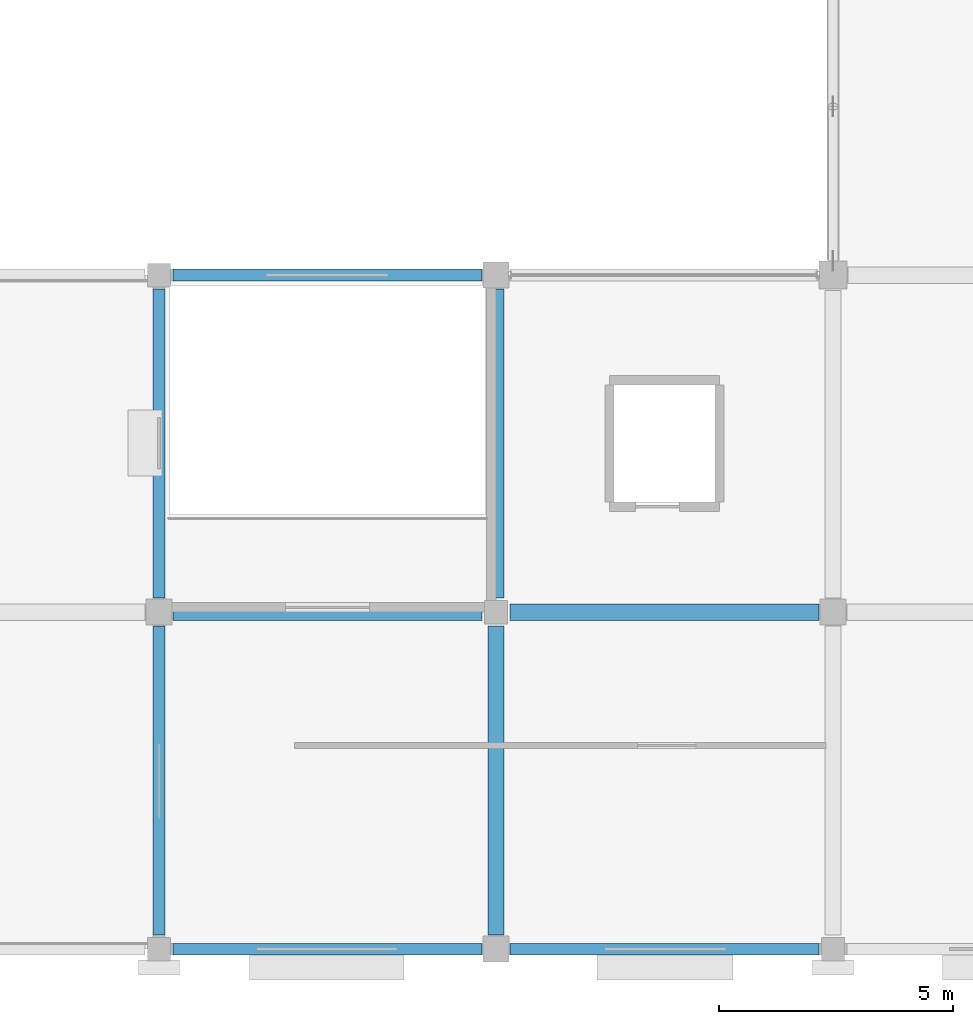
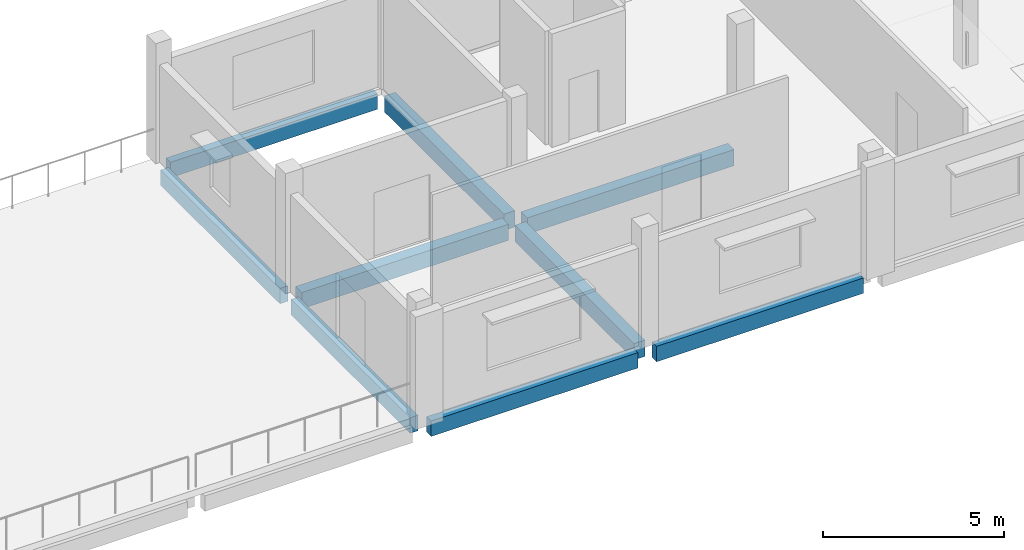
# One storey, part 13 of 59: 9 beams.
"""IFC4 building model written with IfcOpenShell, lengths in metres."""

from ifc_helpers import new_model, si_unit, direction, frame, origin, origin_2d, place, context, subcontext, project, spatial, rectangle, extrude, material, material_profile, profile_set, type_object, element, save


model = new_model("IFC4")

# Units and contexts
model_context = context("Model", 3, precision=1e-05, world=origin(), true_north=direction((0.0, 1.0)))
body_context = subcontext(model_context, "Body", "Model", "MODEL_VIEW")
ifc_project = project(units=[si_unit("LENGTHUNIT", "METRE"), si_unit("AREAUNIT", "SQUARE_METRE"), si_unit("VOLUMEUNIT", "CUBIC_METRE"), si_unit("PLANEANGLEUNIT", "RADIAN"), si_unit("MASSUNIT", "GRAM", prefix="KILO")], contexts=[model_context])

# Site, building, storey
site_placement = place(None, origin())
site = spatial("IfcSite", under=ifc_project, at=site_placement, CompositionType="ELEMENT")
building_placement = place(site_placement, origin())
building = spatial("IfcBuilding", under=site, at=building_placement, Name="Kangsadwip Square Police Headquarters", CompositionType="ELEMENT")
storey_placement = place(building_placement, frame((0.0, 0.0, 21.60009765625)))
storey = spatial("IfcBuildingStorey", under=building, at=storey_placement, Name="L05", CompositionType="ELEMENT", Elevation=21.60009765625)

# Beams
ifc_material_1 = material(Name="Concrete M35 (35 MPa)", Category="concrete")
ifc_material_profile_1 = material_profile(ifc_material_1, rectangle(XDim=0.35009765625, YDim=0.550048828125, at=origin_2d()), Name="RC BM 550X350")
ifc_profile_set_1 = profile_set([ifc_material_profile_1], Name="Concrete M35 (35 MPa)")
beam_type_1 = type_object("IfcBeamType", Name="RcBeam550x350", PredefinedType="BEAM", material=ifc_profile_set_1)
beam_1_placement = place(storey_placement, frame((129.89990234375, 28.800048828125, -0.4951171875), z_axis=(1.0, 0.0, 0.0), x_axis=(0.0, 1.0, 0.0)))
element("IfcBeam", 1, at=beam_1_placement, inside=storey, type_object=beam_type_1, Name="Beam BM-L05-X-18-04", PredefinedType="BEAM", context=body_context, shape_type="SweptSolid", body=[
    extrude(rectangle(XDim=0.35009765625, YDim=0.550048828125, at=origin_2d()), origin(), (0.0, 0.0, 1.0), 6.60009765625),
])
beam_2_placement = place(storey_placement, frame((137.10009765625, 28.800048828125, -0.4951171875), z_axis=(1.0, 0.0, 0.0), x_axis=(0.0, 1.0, 0.0)))
element("IfcBeam", 2, at=beam_2_placement, inside=storey, type_object=beam_type_1, Name="Beam BM-L05-X-19-04", PredefinedType="BEAM", context=body_context, shape_type="SweptSolid", body=[
    extrude(rectangle(XDim=0.35009765625, YDim=0.550048828125, at=origin_2d()), origin(), (0.0, 0.0, 1.0), 6.599853515625),
])
beam_3_placement = place(storey_placement, frame((136.800048828125, 21.89990234375, -0.4951171875), z_axis=(0.0, 1.0, 0.0), x_axis=(-1.0, 0.0, 0.0)))
element("IfcBeam", 3, at=beam_3_placement, inside=storey, type_object=beam_type_1, Name="Beam BM-L05-Y-19-03", PredefinedType="BEAM", context=body_context, shape_type="SweptSolid", body=[
    extrude(rectangle(XDim=0.35009765625, YDim=0.550048828125, at=origin_2d()), origin(), (0.0, 0.0, 1.0), 6.60009765625),
])
beam_4_placement = place(storey_placement, frame((136.800048828125, 29.10009765625, -0.4951171875), z_axis=(0.0, 1.0, 0.0), x_axis=(-1.0, 0.0, 0.0)))
element("IfcBeam", 4, at=beam_4_placement, inside=storey, type_object=beam_type_1, Name="Beam BM-L05-Y-19-04", PredefinedType="BEAM", context=body_context, shape_type="SweptSolid", body=[
    extrude(rectangle(XDim=0.35009765625, YDim=0.550048828125, at=origin_2d()), origin(), (0.0, 0.0, 1.0), 6.599853515625),
])
ifc_material_2 = material(Name="Concrete M35 (35 MPa)", Category="concrete")
ifc_material_profile_2 = material_profile(ifc_material_2, rectangle(XDim=0.25, YDim=0.52001953125, at=origin_2d()), Name="RC SPN 520X250")
ifc_profile_set_2 = profile_set([ifc_material_profile_2], Name="Concrete M35 (35 MPa)")
beam_type_2 = type_object("IfcBeamType", Name="RcSpandrel520x250", PredefinedType="SPANDREL", material=ifc_profile_set_2)
beam_5_placement = place(storey_placement, frame((129.60009765625, 21.89990234375, -0.47998046875), z_axis=(0.0, 1.0, 0.0), x_axis=(-1.0, 0.0, 0.0)))
element("IfcBeam", 5, at=beam_5_placement, inside=storey, type_object=beam_type_2, Name="Beam BM-L05-Y-18-03", PredefinedType="SPANDREL", context=body_context, shape_type="SweptSolid", body=[
    extrude(rectangle(XDim=0.25, YDim=0.52001953125, at=origin_2d()), origin(), (0.0, 0.0, 1.0), 6.60009765625),
])
beam_6_placement = place(storey_placement, frame((129.60009765625, 29.10009765625, -0.47998046875), z_axis=(0.0, 1.0, 0.0), x_axis=(-1.0, 0.0, 0.0)))
element("IfcBeam", 6, at=beam_6_placement, inside=storey, type_object=beam_type_2, Name="Beam BM-L05-Y-18-04", PredefinedType="SPANDREL", context=body_context, shape_type="SweptSolid", body=[
    extrude(rectangle(XDim=0.25, YDim=0.52001953125, at=origin_2d()), origin(), (0.0, 0.0, 1.0), 6.599853515625),
])
beam_7_placement = place(storey_placement, frame((129.89990234375, 21.60009765625, -0.47998046875), z_axis=(1.0, 0.0, 0.0), x_axis=(0.0, 1.0, 0.0)))
element("IfcBeam", 7, at=beam_7_placement, inside=storey, type_object=beam_type_2, Name="Beam BM-L05-X-18-03", PredefinedType="SPANDREL", context=body_context, shape_type="SweptSolid", body=[
    extrude(rectangle(XDim=0.25, YDim=0.52001953125, at=origin_2d()), origin(), (0.0, 0.0, 1.0), 6.60009765625),
])
beam_8_placement = place(storey_placement, frame((137.10009765625, 21.60009765625, -0.47998046875), z_axis=(1.0, 0.0, 0.0), x_axis=(0.0, 1.0, 0.0)))
element("IfcBeam", 8, at=beam_8_placement, inside=storey, type_object=beam_type_2, Name="Beam BM-L05-X-19-03", PredefinedType="SPANDREL", context=body_context, shape_type="SweptSolid", body=[
    extrude(rectangle(XDim=0.25, YDim=0.52001953125, at=origin_2d()), origin(), (0.0, 0.0, 1.0), 6.599853515625),
])
beam_9_placement = place(storey_placement, frame((129.89990234375, 36.0, -0.47998046875), z_axis=(1.0, 0.0, 0.0), x_axis=(0.0, 1.0, 0.0)))
element("IfcBeam", 9, at=beam_9_placement, inside=storey, type_object=beam_type_2, Name="Beam BM-L05-X-18-05", PredefinedType="SPANDREL", context=body_context, shape_type="SweptSolid", body=[
    extrude(rectangle(XDim=0.25, YDim=0.52001953125, at=origin_2d()), origin(), (0.0, 0.0, 1.0), 6.60009765625),
])

save(model, "model.ifc")
